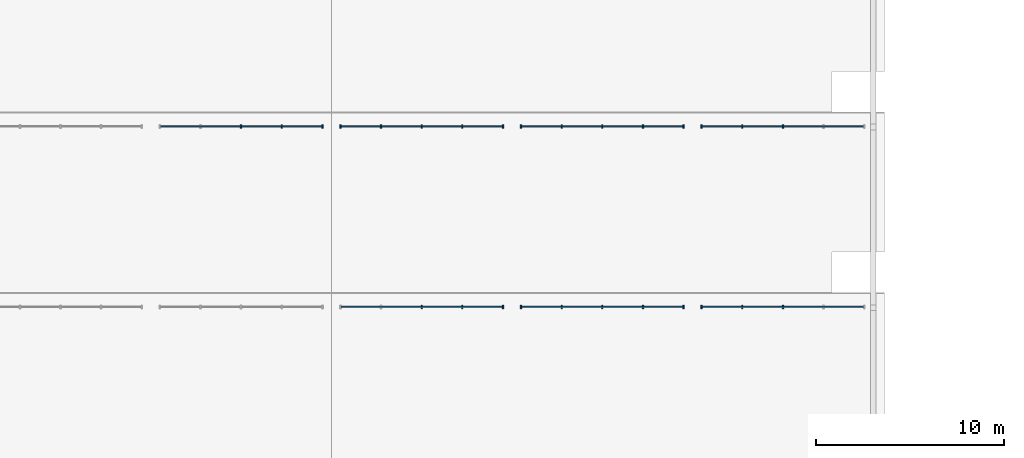
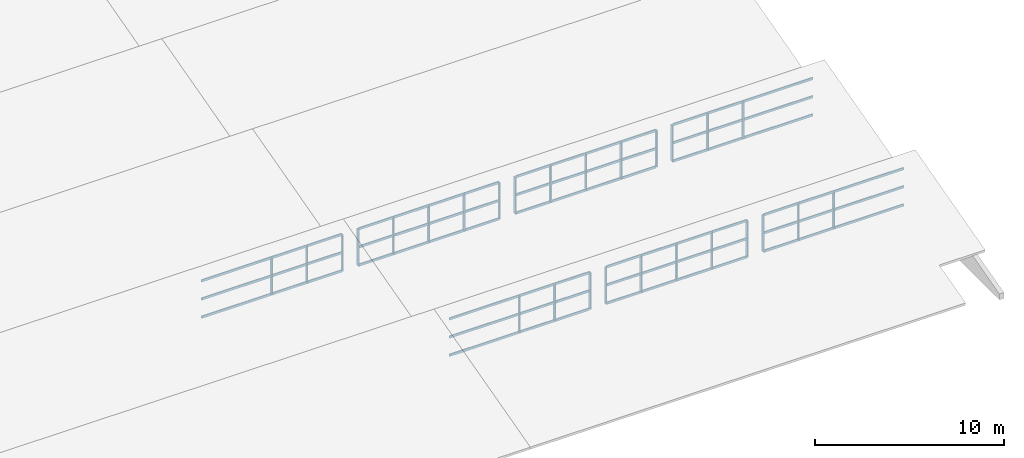
# One storey, part 2 of 18: 48 members, 7 elements without a shape of their own.
"""IFC4 building model written with IfcOpenShell, lengths in metres."""

from ifc_helpers import new_model, si_unit, direction, frame, origin, origin_2d, place, context, subcontext, project, spatial, rectangle, extrude, material, layer, layer_set, material_profile, profile_set, type_object, element, aggregate, save


model = new_model("IFC4")

# Units and contexts
model_context = context("Model", 3, precision=1e-05, world=origin(), true_north=direction((0.0, 1.0)))
body_context = subcontext(model_context, "Body", "Model", "MODEL_VIEW")
ifc_project = project(units=[si_unit("LENGTHUNIT", "METRE"), si_unit("AREAUNIT", "SQUARE_METRE"), si_unit("VOLUMEUNIT", "CUBIC_METRE"), si_unit("PLANEANGLEUNIT", "RADIAN"), si_unit("MASSUNIT", "GRAM", prefix="KILO")], contexts=[model_context])

# Site, building, storey
site_placement = place(None, origin())
site = spatial("IfcSite", under=ifc_project, at=site_placement, CompositionType="ELEMENT")
building_placement = place(site_placement, origin())
building = spatial("IfcBuilding", under=site, at=building_placement, Name="Bempovik Park Faculty of Sciences", CompositionType="ELEMENT")
storey_placement = place(building_placement, frame((0.0, 0.0, 50.10009765625)))
storey = spatial("IfcBuildingStorey", under=building, at=storey_placement, Name="Roof", CompositionType="ELEMENT", Elevation=50.10009765625)

# Curtain wall, members
ifc_material_1 = material(Name="Tempered laminated low-E glass", Category="glass")
ifc_layer_1 = layer(ifc_material_1, 0.159912109375)
ifc_layer_set_1 = layer_set([ifc_layer_1], Name="Tempered laminated low-E glass")
curtain_wall_type_1 = type_object("IfcCurtainWallType", Name="CW-53 Curtain 8000x2550", PredefinedType="USERDEFINED", material=ifc_layer_set_1)
curtain_wall_1_placement = place(storey_placement, origin())
curtain_wall_1 = element("IfcCurtainWall", 1, at=curtain_wall_1_placement, inside=storey, type_object=curtain_wall_type_1, Name="V1 Sawtooth North-Light Clerestory Bay 1 (88.8-98.4)", ObjectType="NORTH LIGHT CLERESTORY", PredefinedType="USERDEFINED")
ifc_material_2 = material(Name="Anodised aluminium", Category="aluminium")
ifc_material_profile_1 = material_profile(ifc_material_2, rectangle(XDim=0.070068359375, YDim=0.179931640625, at=origin_2d()), Name="ALU-M 70x180")
ifc_profile_set_1 = profile_set([ifc_material_profile_1], Name="Anodised aluminium")
member_type_1 = type_object("IfcMemberType", Name="ML-26 ALU-M 70x180", PredefinedType="MULLION", material=ifc_profile_set_1)
member_1_placement = place(storey_placement, frame((93.60009765625, 29.280029296875, -30.2001953125), z_axis=(0.0, 0.0, 1.0), x_axis=(1.0, 0.0, 0.0)))
member_1 = element("IfcMember", 2, at=member_1_placement, type_object=member_type_1, Name="CW-NL-V1-B1-888 Mullion 2", PredefinedType="MULLION", context=body_context, shape_type="SweptSolid", body=[
    extrude(rectangle(XDim=0.070068359375, YDim=0.179931640625, at=origin_2d()), origin(), (0.0, 0.0, 1.0), 2.352294921875),
])
member_2_placement = place(storey_placement, frame((95.760009765625, 29.280029296875, -30.2001953125), z_axis=(0.0, 0.0, 1.0), x_axis=(1.0, 0.0, 0.0)))
member_2 = element("IfcMember", 3, at=member_2_placement, type_object=member_type_1, Name="CW-NL-V1-B1-888 Mullion 3", PredefinedType="MULLION", context=body_context, shape_type="SweptSolid", body=[
    extrude(rectangle(XDim=0.070068359375, YDim=0.179931640625, at=origin_2d()), origin(), (0.0, 0.0, 1.0), 2.352294921875),
])
member_3_placement = place(storey_placement, frame((97.919921875, 29.280029296875, -30.2001953125), z_axis=(0.0, 0.0, 1.0), x_axis=(1.0, 0.0, 0.0)))
member_3 = element("IfcMember", 4, at=member_3_placement, type_object=member_type_1, Name="CW-NL-V1-B1-888 Mullion 4", PredefinedType="MULLION", context=body_context, shape_type="SweptSolid", body=[
    extrude(rectangle(XDim=0.070068359375, YDim=0.179931640625, at=origin_2d()), origin(), (0.0, 0.0, 1.0), 2.352294921875),
])

curtain_wall_2_placement = place(storey_placement, origin())
curtain_wall_2 = element("IfcCurtainWall", 5, at=curtain_wall_2_placement, inside=storey, type_object=curtain_wall_type_1, Name="V1 Sawtooth North-Light Clerestory Bay 1 (98.4-108.0)", ObjectType="NORTH LIGHT CLERESTORY", PredefinedType="USERDEFINED")
member_4_placement = place(storey_placement, frame((98.8798828125, 29.280029296875, -30.2001953125), z_axis=(0.0, 0.0, 1.0), x_axis=(1.0, 0.0, 0.0)))
member_4 = element("IfcMember", 6, at=member_4_placement, type_object=member_type_1, Name="CW-NL-V1-B1-984 Mullion 0", PredefinedType="MULLION", context=body_context, shape_type="SweptSolid", body=[
    extrude(rectangle(XDim=0.070068359375, YDim=0.179931640625, at=origin_2d()), origin(), (0.0, 0.0, 1.0), 2.352294921875),
])
member_5_placement = place(storey_placement, frame((101.0400390625, 29.280029296875, -30.2001953125), z_axis=(0.0, 0.0, 1.0), x_axis=(1.0, 0.0, 0.0)))
member_5 = element("IfcMember", 7, at=member_5_placement, type_object=member_type_1, Name="CW-NL-V1-B1-984 Mullion 1", PredefinedType="MULLION", context=body_context, shape_type="SweptSolid", body=[
    extrude(rectangle(XDim=0.070068359375, YDim=0.179931640625, at=origin_2d()), origin(), (0.0, 0.0, 1.0), 2.352294921875),
])
member_6_placement = place(storey_placement, frame((103.199951171875, 29.280029296875, -30.2001953125), z_axis=(0.0, 0.0, 1.0), x_axis=(1.0, 0.0, 0.0)))
member_6 = element("IfcMember", 8, at=member_6_placement, type_object=member_type_1, Name="CW-NL-V1-B1-984 Mullion 2", PredefinedType="MULLION", context=body_context, shape_type="SweptSolid", body=[
    extrude(rectangle(XDim=0.070068359375, YDim=0.179931640625, at=origin_2d()), origin(), (0.0, 0.0, 1.0), 2.352294921875),
])
member_7_placement = place(storey_placement, frame((105.360107421875, 29.280029296875, -30.2001953125), z_axis=(0.0, 0.0, 1.0), x_axis=(1.0, 0.0, 0.0)))
member_7 = element("IfcMember", 9, at=member_7_placement, type_object=member_type_1, Name="CW-NL-V1-B1-984 Mullion 3", PredefinedType="MULLION", context=body_context, shape_type="SweptSolid", body=[
    extrude(rectangle(XDim=0.070068359375, YDim=0.179931640625, at=origin_2d()), origin(), (0.0, 0.0, 1.0), 2.352294921875),
])
member_8_placement = place(storey_placement, frame((107.52001953125, 29.280029296875, -30.2001953125), z_axis=(0.0, 0.0, 1.0), x_axis=(1.0, 0.0, 0.0)))
member_8 = element("IfcMember", 10, at=member_8_placement, type_object=member_type_1, Name="CW-NL-V1-B1-984 Mullion 4", PredefinedType="MULLION", context=body_context, shape_type="SweptSolid", body=[
    extrude(rectangle(XDim=0.070068359375, YDim=0.179931640625, at=origin_2d()), origin(), (0.0, 0.0, 1.0), 2.352294921875),
])

ifc_layer_2 = layer(ifc_material_1, 0.159912109375)
ifc_layer_set_2 = layer_set([ifc_layer_2], Name="Tempered laminated low-E glass")
curtain_wall_type_2 = type_object("IfcCurtainWallType", Name="CW-17 Curtain 7200x2550", PredefinedType="USERDEFINED", material=ifc_layer_set_2)
curtain_wall_3_placement = place(storey_placement, origin())
curtain_wall_3 = element("IfcCurtainWall", 11, at=curtain_wall_3_placement, inside=storey, type_object=curtain_wall_type_2, Name="V1 Sawtooth North-Light Clerestory Bay 1 (108.0-117.6)", ObjectType="NORTH LIGHT CLERESTORY", PredefinedType="USERDEFINED")
member_9_placement = place(storey_placement, frame((108.47998046875, 29.280029296875, -30.2001953125), z_axis=(0.0, 0.0, 1.0), x_axis=(1.0, 0.0, 0.0)))
member_9 = element("IfcMember", 12, at=member_9_placement, type_object=member_type_1, Name="CW-NL-V1-B1-1080 Mullion 0", PredefinedType="MULLION", context=body_context, shape_type="SweptSolid", body=[
    extrude(rectangle(XDim=0.070068359375, YDim=0.179931640625, at=origin_2d()), origin(), (0.0, 0.0, 1.0), 2.352294921875),
])
member_10_placement = place(storey_placement, frame((110.639892578125, 29.280029296875, -30.2001953125), z_axis=(0.0, 0.0, 1.0), x_axis=(1.0, 0.0, 0.0)))
member_10 = element("IfcMember", 13, at=member_10_placement, type_object=member_type_1, Name="CW-NL-V1-B1-1080 Mullion 1", PredefinedType="MULLION", context=body_context, shape_type="SweptSolid", body=[
    extrude(rectangle(XDim=0.070068359375, YDim=0.179931640625, at=origin_2d()), origin(), (0.0, 0.0, 1.0), 2.352294921875),
])
member_11_placement = place(storey_placement, frame((112.800048828125, 29.280029296875, -30.2001953125), z_axis=(0.0, 0.0, 1.0), x_axis=(1.0, 0.0, 0.0)))
member_11 = element("IfcMember", 14, at=member_11_placement, type_object=member_type_1, Name="CW-NL-V1-B1-1080 Mullion 2", PredefinedType="MULLION", context=body_context, shape_type="SweptSolid", body=[
    extrude(rectangle(XDim=0.070068359375, YDim=0.179931640625, at=origin_2d()), origin(), (0.0, 0.0, 1.0), 2.352294921875),
])

curtain_wall_4_placement = place(storey_placement, origin())
curtain_wall_4 = element("IfcCurtainWall", 15, at=curtain_wall_4_placement, inside=storey, type_object=curtain_wall_type_1, Name="V1 Sawtooth North-Light Clerestory Bay 2 (79.2-88.8)", ObjectType="NORTH LIGHT CLERESTORY", PredefinedType="USERDEFINED")
member_12_placement = place(storey_placement, frame((84.0, 38.8798828125, -30.2001953125), z_axis=(0.0, 0.0, 1.0), x_axis=(1.0, 0.0, 0.0)))
member_12 = element("IfcMember", 16, at=member_12_placement, type_object=member_type_1, Name="CW-NL-V1-B2-792 Mullion 2", PredefinedType="MULLION", context=body_context, shape_type="SweptSolid", body=[
    extrude(rectangle(XDim=0.070068359375, YDim=0.179931640625, at=origin_2d()), origin(), (0.0, 0.0, 1.0), 2.352294921875),
])
member_13_placement = place(storey_placement, frame((86.159912109375, 38.8798828125, -30.2001953125), z_axis=(0.0, 0.0, 1.0), x_axis=(1.0, 0.0, 0.0)))
member_13 = element("IfcMember", 17, at=member_13_placement, type_object=member_type_1, Name="CW-NL-V1-B2-792 Mullion 3", PredefinedType="MULLION", context=body_context, shape_type="SweptSolid", body=[
    extrude(rectangle(XDim=0.070068359375, YDim=0.179931640625, at=origin_2d()), origin(), (0.0, 0.0, 1.0), 2.352294921875),
])
member_14_placement = place(storey_placement, frame((88.320068359375, 38.8798828125, -30.2001953125), z_axis=(0.0, 0.0, 1.0), x_axis=(1.0, 0.0, 0.0)))
member_14 = element("IfcMember", 18, at=member_14_placement, type_object=member_type_1, Name="CW-NL-V1-B2-792 Mullion 4", PredefinedType="MULLION", context=body_context, shape_type="SweptSolid", body=[
    extrude(rectangle(XDim=0.070068359375, YDim=0.179931640625, at=origin_2d()), origin(), (0.0, 0.0, 1.0), 2.352294921875),
])

curtain_wall_5_placement = place(storey_placement, origin())
curtain_wall_5 = element("IfcCurtainWall", 19, at=curtain_wall_5_placement, inside=storey, type_object=curtain_wall_type_1, Name="V1 Sawtooth North-Light Clerestory Bay 2 (88.8-98.4)", ObjectType="NORTH LIGHT CLERESTORY", PredefinedType="USERDEFINED")
member_15_placement = place(storey_placement, frame((89.280029296875, 38.8798828125, -30.2001953125), z_axis=(0.0, 0.0, 1.0), x_axis=(1.0, 0.0, 0.0)))
member_15 = element("IfcMember", 20, at=member_15_placement, type_object=member_type_1, Name="CW-NL-V1-B2-888 Mullion 0", PredefinedType="MULLION", context=body_context, shape_type="SweptSolid", body=[
    extrude(rectangle(XDim=0.070068359375, YDim=0.179931640625, at=origin_2d()), origin(), (0.0, 0.0, 1.0), 2.352294921875),
])
member_16_placement = place(storey_placement, frame((91.43994140625, 38.8798828125, -30.2001953125), z_axis=(0.0, 0.0, 1.0), x_axis=(1.0, 0.0, 0.0)))
member_16 = element("IfcMember", 21, at=member_16_placement, type_object=member_type_1, Name="CW-NL-V1-B2-888 Mullion 1", PredefinedType="MULLION", context=body_context, shape_type="SweptSolid", body=[
    extrude(rectangle(XDim=0.070068359375, YDim=0.179931640625, at=origin_2d()), origin(), (0.0, 0.0, 1.0), 2.352294921875),
])
member_17_placement = place(storey_placement, frame((93.60009765625, 38.8798828125, -30.2001953125), z_axis=(0.0, 0.0, 1.0), x_axis=(1.0, 0.0, 0.0)))
member_17 = element("IfcMember", 22, at=member_17_placement, type_object=member_type_1, Name="CW-NL-V1-B2-888 Mullion 2", PredefinedType="MULLION", context=body_context, shape_type="SweptSolid", body=[
    extrude(rectangle(XDim=0.070068359375, YDim=0.179931640625, at=origin_2d()), origin(), (0.0, 0.0, 1.0), 2.352294921875),
])
member_18_placement = place(storey_placement, frame((95.760009765625, 38.8798828125, -30.2001953125), z_axis=(0.0, 0.0, 1.0), x_axis=(1.0, 0.0, 0.0)))
member_18 = element("IfcMember", 23, at=member_18_placement, type_object=member_type_1, Name="CW-NL-V1-B2-888 Mullion 3", PredefinedType="MULLION", context=body_context, shape_type="SweptSolid", body=[
    extrude(rectangle(XDim=0.070068359375, YDim=0.179931640625, at=origin_2d()), origin(), (0.0, 0.0, 1.0), 2.352294921875),
])
member_19_placement = place(storey_placement, frame((97.919921875, 38.8798828125, -30.2001953125), z_axis=(0.0, 0.0, 1.0), x_axis=(1.0, 0.0, 0.0)))
member_19 = element("IfcMember", 24, at=member_19_placement, type_object=member_type_1, Name="CW-NL-V1-B2-888 Mullion 4", PredefinedType="MULLION", context=body_context, shape_type="SweptSolid", body=[
    extrude(rectangle(XDim=0.070068359375, YDim=0.179931640625, at=origin_2d()), origin(), (0.0, 0.0, 1.0), 2.352294921875),
])

curtain_wall_6_placement = place(storey_placement, origin())
curtain_wall_6 = element("IfcCurtainWall", 25, at=curtain_wall_6_placement, inside=storey, type_object=curtain_wall_type_1, Name="V1 Sawtooth North-Light Clerestory Bay 2 (98.4-108.0)", ObjectType="NORTH LIGHT CLERESTORY", PredefinedType="USERDEFINED")
member_20_placement = place(storey_placement, frame((98.8798828125, 38.8798828125, -30.2001953125), z_axis=(0.0, 0.0, 1.0), x_axis=(1.0, 0.0, 0.0)))
member_20 = element("IfcMember", 26, at=member_20_placement, type_object=member_type_1, Name="CW-NL-V1-B2-984 Mullion 0", PredefinedType="MULLION", context=body_context, shape_type="SweptSolid", body=[
    extrude(rectangle(XDim=0.070068359375, YDim=0.179931640625, at=origin_2d()), origin(), (0.0, 0.0, 1.0), 2.352294921875),
])
member_21_placement = place(storey_placement, frame((101.0400390625, 38.8798828125, -30.2001953125), z_axis=(0.0, 0.0, 1.0), x_axis=(1.0, 0.0, 0.0)))
member_21 = element("IfcMember", 27, at=member_21_placement, type_object=member_type_1, Name="CW-NL-V1-B2-984 Mullion 1", PredefinedType="MULLION", context=body_context, shape_type="SweptSolid", body=[
    extrude(rectangle(XDim=0.070068359375, YDim=0.179931640625, at=origin_2d()), origin(), (0.0, 0.0, 1.0), 2.352294921875),
])
member_22_placement = place(storey_placement, frame((103.199951171875, 38.8798828125, -30.2001953125), z_axis=(0.0, 0.0, 1.0), x_axis=(1.0, 0.0, 0.0)))
member_22 = element("IfcMember", 28, at=member_22_placement, type_object=member_type_1, Name="CW-NL-V1-B2-984 Mullion 2", PredefinedType="MULLION", context=body_context, shape_type="SweptSolid", body=[
    extrude(rectangle(XDim=0.070068359375, YDim=0.179931640625, at=origin_2d()), origin(), (0.0, 0.0, 1.0), 2.352294921875),
])
member_23_placement = place(storey_placement, frame((105.360107421875, 38.8798828125, -30.2001953125), z_axis=(0.0, 0.0, 1.0), x_axis=(1.0, 0.0, 0.0)))
member_23 = element("IfcMember", 29, at=member_23_placement, type_object=member_type_1, Name="CW-NL-V1-B2-984 Mullion 3", PredefinedType="MULLION", context=body_context, shape_type="SweptSolid", body=[
    extrude(rectangle(XDim=0.070068359375, YDim=0.179931640625, at=origin_2d()), origin(), (0.0, 0.0, 1.0), 2.352294921875),
])
member_24_placement = place(storey_placement, frame((107.52001953125, 38.8798828125, -30.2001953125), z_axis=(0.0, 0.0, 1.0), x_axis=(1.0, 0.0, 0.0)))
member_24 = element("IfcMember", 30, at=member_24_placement, type_object=member_type_1, Name="CW-NL-V1-B2-984 Mullion 4", PredefinedType="MULLION", context=body_context, shape_type="SweptSolid", body=[
    extrude(rectangle(XDim=0.070068359375, YDim=0.179931640625, at=origin_2d()), origin(), (0.0, 0.0, 1.0), 2.352294921875),
])

curtain_wall_7_placement = place(storey_placement, origin())
curtain_wall_7 = element("IfcCurtainWall", 31, at=curtain_wall_7_placement, inside=storey, type_object=curtain_wall_type_2, Name="V1 Sawtooth North-Light Clerestory Bay 2 (108.0-117.6)", ObjectType="NORTH LIGHT CLERESTORY", PredefinedType="USERDEFINED")
member_25_placement = place(storey_placement, frame((108.47998046875, 38.8798828125, -30.2001953125), z_axis=(0.0, 0.0, 1.0), x_axis=(1.0, 0.0, 0.0)))
member_25 = element("IfcMember", 32, at=member_25_placement, type_object=member_type_1, Name="CW-NL-V1-B2-1080 Mullion 0", PredefinedType="MULLION", context=body_context, shape_type="SweptSolid", body=[
    extrude(rectangle(XDim=0.070068359375, YDim=0.179931640625, at=origin_2d()), origin(), (0.0, 0.0, 1.0), 2.352294921875),
])
member_26_placement = place(storey_placement, frame((110.639892578125, 38.8798828125, -30.2001953125), z_axis=(0.0, 0.0, 1.0), x_axis=(1.0, 0.0, 0.0)))
member_26 = element("IfcMember", 33, at=member_26_placement, type_object=member_type_1, Name="CW-NL-V1-B2-1080 Mullion 1", PredefinedType="MULLION", context=body_context, shape_type="SweptSolid", body=[
    extrude(rectangle(XDim=0.070068359375, YDim=0.179931640625, at=origin_2d()), origin(), (0.0, 0.0, 1.0), 2.352294921875),
])
member_27_placement = place(storey_placement, frame((112.800048828125, 38.8798828125, -30.2001953125), z_axis=(0.0, 0.0, 1.0), x_axis=(1.0, 0.0, 0.0)))
member_27 = element("IfcMember", 34, at=member_27_placement, type_object=member_type_1, Name="CW-NL-V1-B2-1080 Mullion 2", PredefinedType="MULLION", context=body_context, shape_type="SweptSolid", body=[
    extrude(rectangle(XDim=0.070068359375, YDim=0.179931640625, at=origin_2d()), origin(), (0.0, 0.0, 1.0), 2.352294921875),
])

# Member
ifc_material_profile_2 = material_profile(ifc_material_2, rectangle(XDim=0.070068359375, YDim=0.14990234375, at=origin_2d()), Name="ALU-T 70x150")
ifc_profile_set_2 = profile_set([ifc_material_profile_2], Name="Anodised aluminium")
member_type_2 = type_object("IfcMemberType", Name="TR-21 ALU-T 70x150", PredefinedType="USERDEFINED", material=ifc_profile_set_2)
member_28_placement = place(storey_placement, frame((89.320068359375, 29.280029296875, -30.2001953125), z_axis=(1.0, 0.0, 0.0), x_axis=(0.0, 1.0, 0.0)))
member_28 = element("IfcMember", 35, at=member_28_placement, type_object=member_type_2, Name="CW-NL-V1-B1-888 Transom 0", ObjectType="TRANSOM", PredefinedType="USERDEFINED", context=body_context, shape_type="SweptSolid", body=[
    extrude(rectangle(XDim=0.070068359375, YDim=0.14990234375, at=origin_2d()), origin(), (0.0, 0.0, 1.0), 8.559814453125),
])

member_29_placement = place(storey_placement, frame((89.320068359375, 29.280029296875, -29.02392578125), z_axis=(1.0, 0.0, 0.0), x_axis=(0.0, 1.0, 0.0)))
member_29 = element("IfcMember", 36, at=member_29_placement, type_object=member_type_2, Name="CW-NL-V1-B1-888 Transom 1", ObjectType="TRANSOM", PredefinedType="USERDEFINED", context=body_context, shape_type="SweptSolid", body=[
    extrude(rectangle(XDim=0.070068359375, YDim=0.14990234375, at=origin_2d()), origin(), (0.0, 0.0, 1.0), 8.559814453125),
])

member_30_placement = place(storey_placement, frame((89.320068359375, 29.280029296875, -27.847900390625), z_axis=(1.0, 0.0, 0.0), x_axis=(0.0, 1.0, 0.0)))
member_30 = element("IfcMember", 37, at=member_30_placement, type_object=member_type_2, Name="CW-NL-V1-B1-888 Transom 2", ObjectType="TRANSOM", PredefinedType="USERDEFINED", context=body_context, shape_type="SweptSolid", body=[
    extrude(rectangle(XDim=0.070068359375, YDim=0.14990234375, at=origin_2d()), origin(), (0.0, 0.0, 1.0), 8.559814453125),
])

aggregate(curtain_wall_1, [member_1, member_2, member_3, member_28, member_29, member_30])

member_31_placement = place(storey_placement, frame((98.919921875, 29.280029296875, -30.2001953125), z_axis=(1.0, 0.0, 0.0), x_axis=(0.0, 1.0, 0.0)))
member_31 = element("IfcMember", 38, at=member_31_placement, type_object=member_type_2, Name="CW-NL-V1-B1-984 Transom 0", ObjectType="TRANSOM", PredefinedType="USERDEFINED", context=body_context, shape_type="SweptSolid", body=[
    extrude(rectangle(XDim=0.070068359375, YDim=0.14990234375, at=origin_2d()), origin(), (0.0, 0.0, 1.0), 8.56005859375),
])

member_32_placement = place(storey_placement, frame((98.919921875, 29.280029296875, -29.02392578125), z_axis=(1.0, 0.0, 0.0), x_axis=(0.0, 1.0, 0.0)))
member_32 = element("IfcMember", 39, at=member_32_placement, type_object=member_type_2, Name="CW-NL-V1-B1-984 Transom 1", ObjectType="TRANSOM", PredefinedType="USERDEFINED", context=body_context, shape_type="SweptSolid", body=[
    extrude(rectangle(XDim=0.070068359375, YDim=0.14990234375, at=origin_2d()), origin(), (0.0, 0.0, 1.0), 8.56005859375),
])

member_33_placement = place(storey_placement, frame((98.919921875, 29.280029296875, -27.847900390625), z_axis=(1.0, 0.0, 0.0), x_axis=(0.0, 1.0, 0.0)))
member_33 = element("IfcMember", 40, at=member_33_placement, type_object=member_type_2, Name="CW-NL-V1-B1-984 Transom 2", ObjectType="TRANSOM", PredefinedType="USERDEFINED", context=body_context, shape_type="SweptSolid", body=[
    extrude(rectangle(XDim=0.070068359375, YDim=0.14990234375, at=origin_2d()), origin(), (0.0, 0.0, 1.0), 8.56005859375),
])

aggregate(curtain_wall_2, [member_4, member_5, member_6, member_7, member_8, member_31, member_32, member_33])

member_34_placement = place(storey_placement, frame((108.52001953125, 29.280029296875, -30.2001953125), z_axis=(1.0, 0.0, 0.0), x_axis=(0.0, 1.0, 0.0)))
member_34 = element("IfcMember", 41, at=member_34_placement, type_object=member_type_2, Name="CW-NL-V1-B1-1080 Transom 0", ObjectType="TRANSOM", PredefinedType="USERDEFINED", context=body_context, shape_type="SweptSolid", body=[
    extrude(rectangle(XDim=0.070068359375, YDim=0.14990234375, at=origin_2d()), origin(), (0.0, 0.0, 1.0), 8.56005859375),
])

member_35_placement = place(storey_placement, frame((108.52001953125, 29.280029296875, -29.02392578125), z_axis=(1.0, 0.0, 0.0), x_axis=(0.0, 1.0, 0.0)))
member_35 = element("IfcMember", 42, at=member_35_placement, type_object=member_type_2, Name="CW-NL-V1-B1-1080 Transom 1", ObjectType="TRANSOM", PredefinedType="USERDEFINED", context=body_context, shape_type="SweptSolid", body=[
    extrude(rectangle(XDim=0.070068359375, YDim=0.14990234375, at=origin_2d()), origin(), (0.0, 0.0, 1.0), 8.56005859375),
])

member_36_placement = place(storey_placement, frame((108.52001953125, 29.280029296875, -27.847900390625), z_axis=(1.0, 0.0, 0.0), x_axis=(0.0, 1.0, 0.0)))
member_36 = element("IfcMember", 43, at=member_36_placement, type_object=member_type_2, Name="CW-NL-V1-B1-1080 Transom 2", ObjectType="TRANSOM", PredefinedType="USERDEFINED", context=body_context, shape_type="SweptSolid", body=[
    extrude(rectangle(XDim=0.070068359375, YDim=0.14990234375, at=origin_2d()), origin(), (0.0, 0.0, 1.0), 8.56005859375),
])

aggregate(curtain_wall_3, [member_9, member_10, member_11, member_34, member_35, member_36])

member_37_placement = place(storey_placement, frame((79.719970703125, 38.8798828125, -30.2001953125), z_axis=(1.0, 0.0, 0.0), x_axis=(0.0, 1.0, 0.0)))
member_37 = element("IfcMember", 44, at=member_37_placement, type_object=member_type_2, Name="CW-NL-V1-B2-792 Transom 0", ObjectType="TRANSOM", PredefinedType="USERDEFINED", context=body_context, shape_type="SweptSolid", body=[
    extrude(rectangle(XDim=0.070068359375, YDim=0.14990234375, at=origin_2d()), origin(), (0.0, 0.0, 1.0), 8.56005859375),
])

member_38_placement = place(storey_placement, frame((79.719970703125, 38.8798828125, -29.02392578125), z_axis=(1.0, 0.0, 0.0), x_axis=(0.0, 1.0, 0.0)))
member_38 = element("IfcMember", 45, at=member_38_placement, type_object=member_type_2, Name="CW-NL-V1-B2-792 Transom 1", ObjectType="TRANSOM", PredefinedType="USERDEFINED", context=body_context, shape_type="SweptSolid", body=[
    extrude(rectangle(XDim=0.070068359375, YDim=0.14990234375, at=origin_2d()), origin(), (0.0, 0.0, 1.0), 8.56005859375),
])

member_39_placement = place(storey_placement, frame((79.719970703125, 38.8798828125, -27.847900390625), z_axis=(1.0, 0.0, 0.0), x_axis=(0.0, 1.0, 0.0)))
member_39 = element("IfcMember", 46, at=member_39_placement, type_object=member_type_2, Name="CW-NL-V1-B2-792 Transom 2", ObjectType="TRANSOM", PredefinedType="USERDEFINED", context=body_context, shape_type="SweptSolid", body=[
    extrude(rectangle(XDim=0.070068359375, YDim=0.14990234375, at=origin_2d()), origin(), (0.0, 0.0, 1.0), 8.56005859375),
])

aggregate(curtain_wall_4, [member_12, member_13, member_14, member_37, member_38, member_39])

member_40_placement = place(storey_placement, frame((89.320068359375, 38.8798828125, -30.2001953125), z_axis=(1.0, 0.0, 0.0), x_axis=(0.0, 1.0, 0.0)))
member_40 = element("IfcMember", 47, at=member_40_placement, type_object=member_type_2, Name="CW-NL-V1-B2-888 Transom 0", ObjectType="TRANSOM", PredefinedType="USERDEFINED", context=body_context, shape_type="SweptSolid", body=[
    extrude(rectangle(XDim=0.070068359375, YDim=0.14990234375, at=origin_2d()), origin(), (0.0, 0.0, 1.0), 8.559814453125),
])

member_41_placement = place(storey_placement, frame((89.320068359375, 38.8798828125, -29.02392578125), z_axis=(1.0, 0.0, 0.0), x_axis=(0.0, 1.0, 0.0)))
member_41 = element("IfcMember", 48, at=member_41_placement, type_object=member_type_2, Name="CW-NL-V1-B2-888 Transom 1", ObjectType="TRANSOM", PredefinedType="USERDEFINED", context=body_context, shape_type="SweptSolid", body=[
    extrude(rectangle(XDim=0.070068359375, YDim=0.14990234375, at=origin_2d()), origin(), (0.0, 0.0, 1.0), 8.559814453125),
])

member_42_placement = place(storey_placement, frame((89.320068359375, 38.8798828125, -27.847900390625), z_axis=(1.0, 0.0, 0.0), x_axis=(0.0, 1.0, 0.0)))
member_42 = element("IfcMember", 49, at=member_42_placement, type_object=member_type_2, Name="CW-NL-V1-B2-888 Transom 2", ObjectType="TRANSOM", PredefinedType="USERDEFINED", context=body_context, shape_type="SweptSolid", body=[
    extrude(rectangle(XDim=0.070068359375, YDim=0.14990234375, at=origin_2d()), origin(), (0.0, 0.0, 1.0), 8.559814453125),
])

aggregate(curtain_wall_5, [member_15, member_16, member_17, member_18, member_19, member_40, member_41, member_42])

member_43_placement = place(storey_placement, frame((98.919921875, 38.8798828125, -30.2001953125), z_axis=(1.0, 0.0, 0.0), x_axis=(0.0, 1.0, 0.0)))
member_43 = element("IfcMember", 50, at=member_43_placement, type_object=member_type_2, Name="CW-NL-V1-B2-984 Transom 0", ObjectType="TRANSOM", PredefinedType="USERDEFINED", context=body_context, shape_type="SweptSolid", body=[
    extrude(rectangle(XDim=0.070068359375, YDim=0.14990234375, at=origin_2d()), origin(), (0.0, 0.0, 1.0), 8.56005859375),
])

member_44_placement = place(storey_placement, frame((98.919921875, 38.8798828125, -29.02392578125), z_axis=(1.0, 0.0, 0.0), x_axis=(0.0, 1.0, 0.0)))
member_44 = element("IfcMember", 51, at=member_44_placement, type_object=member_type_2, Name="CW-NL-V1-B2-984 Transom 1", ObjectType="TRANSOM", PredefinedType="USERDEFINED", context=body_context, shape_type="SweptSolid", body=[
    extrude(rectangle(XDim=0.070068359375, YDim=0.14990234375, at=origin_2d()), origin(), (0.0, 0.0, 1.0), 8.56005859375),
])

member_45_placement = place(storey_placement, frame((98.919921875, 38.8798828125, -27.847900390625), z_axis=(1.0, 0.0, 0.0), x_axis=(0.0, 1.0, 0.0)))
member_45 = element("IfcMember", 52, at=member_45_placement, type_object=member_type_2, Name="CW-NL-V1-B2-984 Transom 2", ObjectType="TRANSOM", PredefinedType="USERDEFINED", context=body_context, shape_type="SweptSolid", body=[
    extrude(rectangle(XDim=0.070068359375, YDim=0.14990234375, at=origin_2d()), origin(), (0.0, 0.0, 1.0), 8.56005859375),
])

aggregate(curtain_wall_6, [member_20, member_21, member_22, member_23, member_24, member_43, member_44, member_45])

member_46_placement = place(storey_placement, frame((108.52001953125, 38.8798828125, -30.2001953125), z_axis=(1.0, 0.0, 0.0), x_axis=(0.0, 1.0, 0.0)))
member_46 = element("IfcMember", 53, at=member_46_placement, type_object=member_type_2, Name="CW-NL-V1-B2-1080 Transom 0", ObjectType="TRANSOM", PredefinedType="USERDEFINED", context=body_context, shape_type="SweptSolid", body=[
    extrude(rectangle(XDim=0.070068359375, YDim=0.14990234375, at=origin_2d()), origin(), (0.0, 0.0, 1.0), 8.56005859375),
])

member_47_placement = place(storey_placement, frame((108.52001953125, 38.8798828125, -29.02392578125), z_axis=(1.0, 0.0, 0.0), x_axis=(0.0, 1.0, 0.0)))
member_47 = element("IfcMember", 54, at=member_47_placement, type_object=member_type_2, Name="CW-NL-V1-B2-1080 Transom 1", ObjectType="TRANSOM", PredefinedType="USERDEFINED", context=body_context, shape_type="SweptSolid", body=[
    extrude(rectangle(XDim=0.070068359375, YDim=0.14990234375, at=origin_2d()), origin(), (0.0, 0.0, 1.0), 8.56005859375),
])

member_48_placement = place(storey_placement, frame((108.52001953125, 38.8798828125, -27.847900390625), z_axis=(1.0, 0.0, 0.0), x_axis=(0.0, 1.0, 0.0)))
member_48 = element("IfcMember", 55, at=member_48_placement, type_object=member_type_2, Name="CW-NL-V1-B2-1080 Transom 2", ObjectType="TRANSOM", PredefinedType="USERDEFINED", context=body_context, shape_type="SweptSolid", body=[
    extrude(rectangle(XDim=0.070068359375, YDim=0.14990234375, at=origin_2d()), origin(), (0.0, 0.0, 1.0), 8.56005859375),
])

aggregate(curtain_wall_7, [member_25, member_26, member_27, member_46, member_47, member_48])

save(model, "model.ifc")
